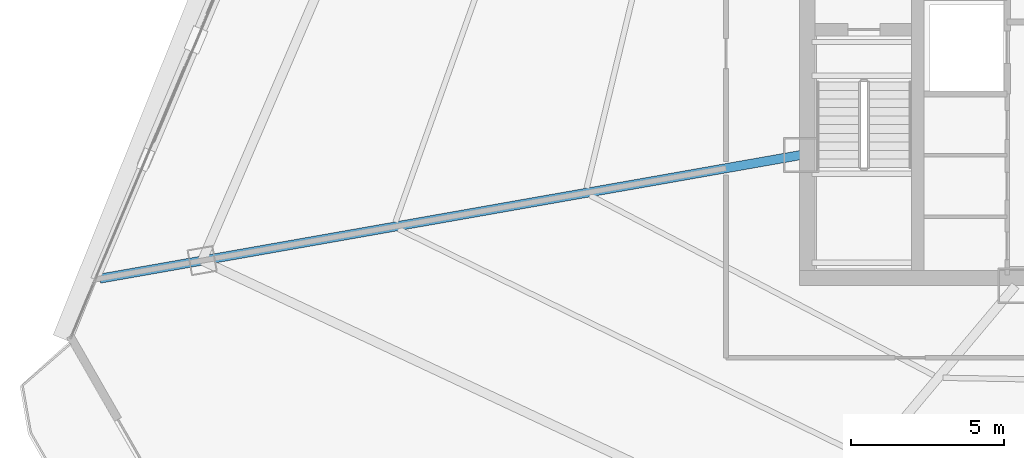
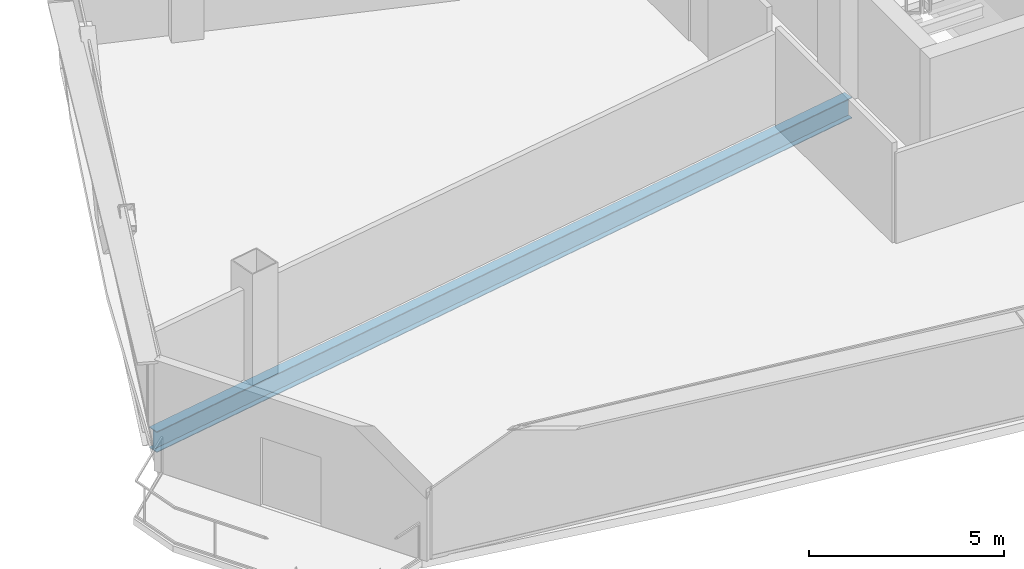
# One storey, part 5 of 34: 1 beam.
"""IFC4 building model written with IfcOpenShell, lengths in metres."""

from ifc_helpers import new_model, si_unit, direction, frame, origin, origin_2d, place, context, subcontext, project, spatial, i_section, extrude, source, transform, mapped, material, material_profile, profile_set, type_object, element, save


model = new_model("IFC4")

# Units and contexts
model_context = context("Model", 3, precision=1e-05, world=origin(), true_north=direction((0.0, 1.0)))
body_context = subcontext(model_context, "Body", "Model", "MODEL_VIEW")
ifc_project = project(units=[si_unit("LENGTHUNIT", "METRE"), si_unit("AREAUNIT", "SQUARE_METRE"), si_unit("VOLUMEUNIT", "CUBIC_METRE"), si_unit("PLANEANGLEUNIT", "RADIAN"), si_unit("MASSUNIT", "GRAM", prefix="KILO"), si_unit("THERMODYNAMICTEMPERATUREUNIT", "KELVIN"), si_unit("POWERUNIT", "WATT")], contexts=[model_context])

# Site, building, storey
site_placement = place(None, origin())
site = spatial("IfcSite", under=ifc_project, at=site_placement, CompositionType="ELEMENT")
building_placement = place(site_placement, origin())
building = spatial("IfcBuilding", under=site, at=building_placement, Name="Yunzhuo Pagoda Commons", CompositionType="ELEMENT")
storey_placement = place(building_placement, frame((0.0, 0.0, 233.340087890625)))
storey = spatial("IfcBuildingStorey", under=building, at=storey_placement, Name="L58", CompositionType="ELEMENT", Elevation=233.340087890625)

# Beam
ifc_material = material(Name="Structural steel Q355B", Category="steel")
ifc_material_profile = material_profile(ifc_material, i_section(OverallWidth=0.300048828125, OverallDepth=0.64990234375, WebThickness=0.012939453125, FlangeThickness=0.02197265625, at=origin_2d()), Name="Structural steel Q355B")
ifc_profile_set = profile_set([ifc_material_profile], Name="Structural steel Q355B")
beam_type = type_object("IfcBeamType", Name="B-RG2 Beam HN 650x300x13x22", PredefinedType="BEAM", material=ifc_profile_set)
shared_shape = source(origin(), body_context, "Body", "SweptSolid", [
    extrude(i_section(OverallWidth=0.300048828125, OverallDepth=0.64990234375, WebThickness=0.012939453125, FlangeThickness=0.02197265625, at=origin_2d()), origin(), (0.0, 0.0, 1.0), 23.22265625),
])
beam_placement = place(storey_placement, frame((12.730224609375, 27.48095703125, -0.585205078125), z_axis=(0.984808525924, 0.173643794211, 0.0), x_axis=(-0.173643794211, 0.984808525924, 0.0)))
element("IfcBeam", 1, at=beam_placement, inside=storey, type_object=beam_type, Name="L58 radial floor girder F3C4", PredefinedType="BEAM", context=body_context, shape_type="MappedRepresentation", body=[
    mapped(shared_shape, transform((0.0, 0.0, 0.0), scale=1.0)),
])

save(model, "model.ifc")
